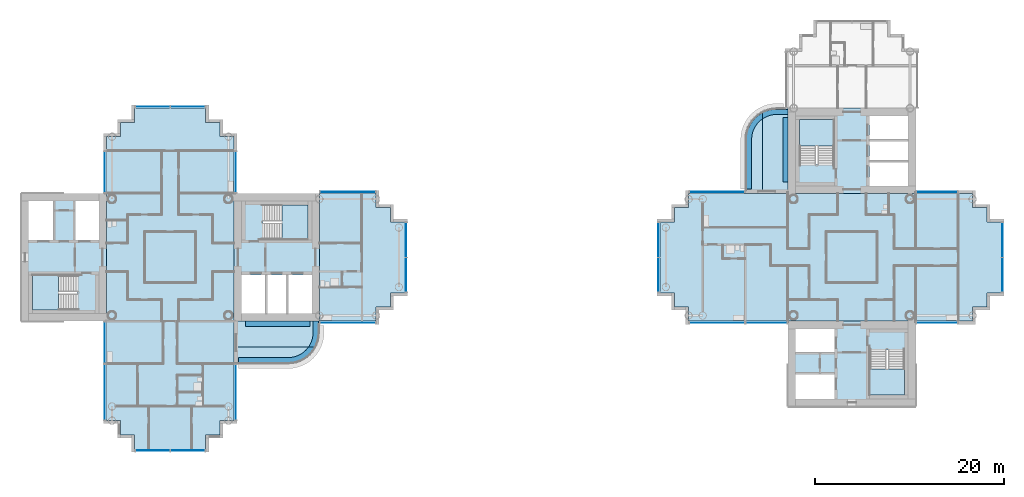
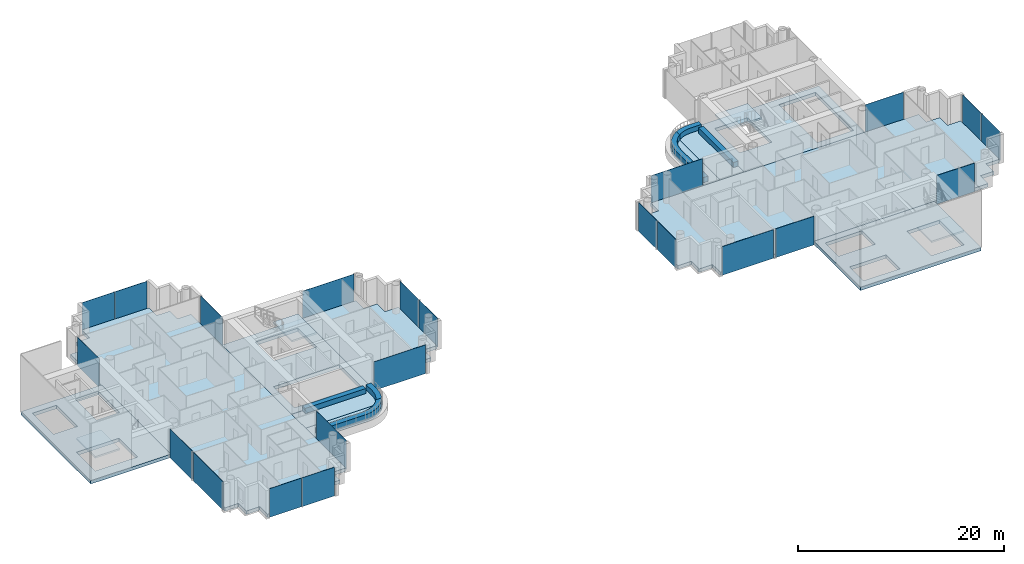
# One storey, part 5 of 19: 22 plates, 21 slabs, 21 elements without a shape of their own.
"""IFC4 building model written with IfcOpenShell, lengths in metres."""

from ifc_helpers import new_model, si_unit, direction, frame, origin, origin_2d, place, context, subcontext, project, spatial, polyline, rectangle, outline, extrude, material, layer, layer_set, type_object, element, aggregate, save


model = new_model("IFC4")

# Units and contexts
model_context = context("Model", 3, precision=1e-05, world=origin(), true_north=direction((0.0, 1.0)))
body_context = subcontext(model_context, "Body", "Model", "MODEL_VIEW")
ifc_project = project(units=[si_unit("LENGTHUNIT", "METRE"), si_unit("AREAUNIT", "SQUARE_METRE"), si_unit("VOLUMEUNIT", "CUBIC_METRE"), si_unit("PLANEANGLEUNIT", "RADIAN"), si_unit("MASSUNIT", "GRAM", prefix="KILO")], contexts=[model_context])

# Site, building, storey
site_placement = place(None, origin())
site = spatial("IfcSite", under=ifc_project, at=site_placement, CompositionType="ELEMENT")
building_placement = place(site_placement, origin())
building = spatial("IfcBuilding", under=site, at=building_placement, Name="Ipe Terrace Towers", CompositionType="ELEMENT")
storey_placement = place(building_placement, frame((0.0, 0.0, 140.5)))
storey = spatial("IfcBuildingStorey", under=building, at=storey_placement, Name="L38", CompositionType="ELEMENT", Elevation=140.5)

# Slabs
ifc_material_1 = material(Name="Concrete C30/37", Category="concrete")
ifc_layer_1 = layer(ifc_material_1, 0.199951171875)
ifc_layer_set_1 = layer_set([ifc_layer_1], Name="BALCONY SLAB 200")
slab_type_1 = type_object("IfcSlabType", Name="BALCONY SLAB 200", PredefinedType="FLOOR", material=ifc_layer_set_1)
slab_1_placement = place(storey_placement, frame((0.0, 0.0, -0.219970703125)))
element("IfcSlab", 1, at=slab_1_placement, inside=storey, type_object=slab_type_1, Name="balcony slab", PredefinedType="FLOOR", context=body_context, shape_type="SweptSolid", body=[
    extrude(outline(polyline([(-20.5009765625, -9.212890625), (-20.362060546875, -8.803955078125), (-20.278076171875, -8.381103515625), (-20.25, -7.949951171875), (-20.25, -6.75), (-29.25, -6.75), (-29.25, -9.449951171875), (-20.617919921875, -9.449951171875), (-20.5009765625, -9.212890625)])), origin(), (0.0, 0.0, 1.0), 0.199951171875),
])
slab_2_placement = place(storey_placement, frame((0.0, 0.0, -0.219970703125)))
element("IfcSlab", 2, at=slab_2_placement, inside=storey, type_object=slab_type_1, Name="balcony slab", PredefinedType="FLOOR", context=body_context, shape_type="SweptSolid", body=[
    extrude(outline(polyline([(-29.25, -11.25), (-23.550048828125, -11.25), (-23.118896484375, -11.221923828125), (-22.696044921875, -11.137939453125), (-22.287109375, -10.9990234375), (-21.89990234375, -10.80810546875), (-21.541015625, -10.568115234375), (-21.217041015625, -10.282958984375), (-20.931884765625, -9.958984375), (-20.69189453125, -9.60009765625), (-20.617919921875, -9.449951171875), (-29.25, -9.449951171875), (-29.25, -11.25)])), origin(), (0.0, 0.0, 1.0), 0.199951171875),
])
slab_3_placement = place(storey_placement, frame((0.0, 0.0, -0.219970703125)))
element("IfcSlab", 3, at=slab_3_placement, inside=storey, type_object=slab_type_1, Name="balcony slab", PredefinedType="FLOOR", context=body_context, shape_type="SweptSolid", body=[
    extrude(outline(polyline([(26.787109375, 15.4990234375), (26.550048828125, 15.382080078125), (26.550048828125, 6.75), (29.25, 6.75), (29.25, 15.75), (28.050048828125, 15.75), (27.618896484375, 15.721923828125), (27.196044921875, 15.637939453125), (26.787109375, 15.4990234375)])), origin(), (0.0, 0.0, 1.0), 0.199951171875),
])
slab_4_placement = place(storey_placement, frame((0.0, 0.0, -0.219970703125)))
element("IfcSlab", 4, at=slab_4_placement, inside=storey, type_object=slab_type_1, Name="balcony slab", PredefinedType="FLOOR", context=body_context, shape_type="SweptSolid", body=[
    extrude(outline(polyline([(24.75, 6.75), (26.550048828125, 6.75), (26.550048828125, 15.382080078125), (26.39990234375, 15.30810546875), (26.041015625, 15.068115234375), (25.717041015625, 14.782958984375), (25.431884765625, 14.458984375), (25.19189453125, 14.10009765625), (25.0009765625, 13.712890625), (24.862060546875, 13.303955078125), (24.778076171875, 12.881103515625), (24.75, 12.449951171875), (24.75, 6.75)])), origin(), (0.0, 0.0, 1.0), 0.199951171875),
])
ifc_material_2 = material(Name="Concrete C30/37", Category="concrete")
ifc_layer_2 = layer(ifc_material_2, 0.39990234375)
ifc_layer_set_2 = layer_set([ifc_layer_2], Name="CORE FLOOR SLAB 400 C30-37")
slab_type_2 = type_object("IfcSlabType", Name="CORE FLOOR SLAB 400 C30-37", PredefinedType="FLOOR", material=ifc_layer_set_2)
slab_5_placement = place(storey_placement, frame((0.0, 0.0, -0.39990234375)))
element("IfcSlab", 5, at=slab_5_placement, inside=storey, type_object=slab_type_2, Name="Core floor T1-C1", PredefinedType="FLOOR", context=body_context, shape_type="SweptSolid", body=[
    extrude(outline(polyline([(-29.25, -6.75), (-29.25, 6.75), (-20.25, 6.75), (-20.25, -6.75), (-29.25, -6.75)]), holes=[polyline([(-28.449951171875, -5.949951171875), (-21.050048828125, -5.949951171875), (-21.050048828125, -1.85009765625), (-28.449951171875, -1.85009765625), (-28.449951171875, -5.949951171875)]), polyline([(-26.199951171875, 5.550048828125), (-26.199951171875, 1.89990234375), (-21.449951171875, 1.89990234375), (-21.449951171875, 5.550048828125), (-26.199951171875, 5.550048828125)])]), origin(), (0.0, 0.0, 1.0), 0.39990234375),
])
slab_6_placement = place(storey_placement, frame((0.0, 0.0, -0.39990234375)))
element("IfcSlab", 6, at=slab_6_placement, inside=storey, type_object=slab_type_2, Name="Core floor T1-C2", PredefinedType="FLOOR", context=body_context, shape_type="SweptSolid", body=[
    extrude(outline(polyline([(-51.75, -6.75), (-51.75, 6.75), (-42.75, 6.75), (-42.75, -6.75), (-51.75, -6.75)]), holes=[polyline([(-45.800048828125, -1.89990234375), (-50.550048828125, -1.89990234375), (-50.550048828125, -5.550048828125), (-45.800048828125, -5.550048828125), (-45.800048828125, -1.89990234375)]), polyline([(-48.25, 1.85009765625), (-48.25, 5.949951171875), (-50.949951171875, 5.949951171875), (-50.949951171875, 1.85009765625), (-48.25, 1.85009765625)]), polyline([(-43.550048828125, 1.85009765625), (-43.550048828125, 5.949951171875), (-46.14990234375, 5.949951171875), (-46.14990234375, 1.85009765625), (-43.550048828125, 1.85009765625)])]), origin(), (0.0, 0.0, 1.0), 0.39990234375),
])
slab_7_placement = place(storey_placement, frame((0.0, 0.0, -0.39990234375)))
element("IfcSlab", 7, at=slab_7_placement, inside=storey, type_object=slab_type_2, Name="Core floor T2-C1", PredefinedType="FLOOR", context=body_context, shape_type="SweptSolid", body=[
    extrude(outline(polyline([(29.25, 6.75), (29.25, 15.75), (42.75, 15.75), (42.75, 6.75), (29.25, 6.75)]), holes=[polyline([(41.949951171875, 7.550048828125), (41.949951171875, 14.949951171875), (37.85009765625, 14.949951171875), (37.85009765625, 7.550048828125), (41.949951171875, 7.550048828125)]), polyline([(30.449951171875, 9.800048828125), (34.10009765625, 9.800048828125), (34.10009765625, 14.550048828125), (30.449951171875, 14.550048828125), (30.449951171875, 9.800048828125)])]), origin(), (0.0, 0.0, 1.0), 0.39990234375),
])
slab_8_placement = place(storey_placement, frame((0.0, 0.0, -0.39990234375)))
element("IfcSlab", 8, at=slab_8_placement, inside=storey, type_object=slab_type_2, Name="Core floor T2-C2", PredefinedType="FLOOR", context=body_context, shape_type="SweptSolid", body=[
    extrude(outline(polyline([(29.25, -15.75), (29.25, -6.75), (42.75, -6.75), (42.75, -15.75), (29.25, -15.75)]), holes=[polyline([(30.050048828125, -12.25), (30.050048828125, -14.949951171875), (34.14990234375, -14.949951171875), (34.14990234375, -12.25), (30.050048828125, -12.25)]), polyline([(41.550048828125, -9.800048828125), (37.89990234375, -9.800048828125), (37.89990234375, -14.550048828125), (41.550048828125, -14.550048828125), (41.550048828125, -9.800048828125)]), polyline([(34.14990234375, -7.550048828125), (30.050048828125, -7.550048828125), (30.050048828125, -10.14990234375), (34.14990234375, -10.14990234375), (34.14990234375, -7.550048828125)])]), origin(), (0.0, 0.0, 1.0), 0.39990234375),
])

# Stair, slab
ifc_material_3 = material(Name="Concrete C30/37", Category="concrete")
stair_type = type_object("IfcStairType", Name="Protected exit stair", PredefinedType="HALF_TURN_STAIR", material=ifc_material_3)
stair_1_placement = place(storey_placement, origin())
stair_1 = element("IfcStair", 9, at=stair_1_placement, inside=storey, type_object=stair_type, Name="L38 Exit stair T1-C1", PredefinedType="HALF_TURN_STAIR")
ifc_material_4 = material(Name="Concrete C30/37", Category="concrete")
ifc_layer_3 = layer(ifc_material_4, 0.199951171875)
ifc_layer_set_3 = layer_set([ifc_layer_3], Name="Exit stair landing 200")
slab_type_3 = type_object("IfcSlabType", Name="Exit stair landing 200", PredefinedType="LANDING", material=ifc_layer_set_3)
slab_9_placement = place(storey_placement, frame((0.0, 0.0, 1.5)))
slab_9 = element("IfcSlab", 10, at=slab_9_placement, type_object=slab_type_3, Name="T1-ST1 landing 1", PredefinedType="LANDING", context=body_context, shape_type="SweptSolid", body=[
    extrude(outline(polyline([(-24.219970703125, 1.89990234375), (-21.449951171875, 1.89990234375), (-21.449951171875, 5.550048828125), (-24.219970703125, 5.550048828125), (-24.219970703125, 1.89990234375)])), origin(), (0.0, 0.0, 1.0), 0.199951171875),
])
aggregate(stair_1, [slab_9])

stair_2_placement = place(storey_placement, origin())
stair_2 = element("IfcStair", 11, at=stair_2_placement, inside=storey, type_object=stair_type, Name="L38 Exit stair T1-C2", PredefinedType="HALF_TURN_STAIR")
slab_10_placement = place(storey_placement, frame((0.0, 0.0, 1.5)))
slab_10 = element("IfcSlab", 12, at=slab_10_placement, type_object=slab_type_3, Name="T1-ST2 landing 1", PredefinedType="LANDING", context=body_context, shape_type="SweptSolid", body=[
    extrude(outline(polyline([(-47.780029296875, -1.89990234375), (-50.550048828125, -1.89990234375), (-50.550048828125, -5.550048828125), (-47.780029296875, -5.550048828125), (-47.780029296875, -1.89990234375)])), origin(), (0.0, 0.0, 1.0), 0.199951171875),
])
aggregate(stair_2, [slab_10])

stair_3_placement = place(storey_placement, origin())
stair_3 = element("IfcStair", 13, at=stair_3_placement, inside=storey, type_object=stair_type, Name="L38 Exit stair T2-C1", PredefinedType="HALF_TURN_STAIR")
slab_11_placement = place(storey_placement, frame((0.0, 0.0, 1.5)))
slab_11 = element("IfcSlab", 14, at=slab_11_placement, type_object=slab_type_3, Name="T2-ST1 landing 1", PredefinedType="LANDING", context=body_context, shape_type="SweptSolid", body=[
    extrude(outline(polyline([(34.10009765625, 11.780029296875), (34.10009765625, 14.550048828125), (30.449951171875, 14.550048828125), (30.449951171875, 11.780029296875), (34.10009765625, 11.780029296875)])), origin(), (0.0, 0.0, 1.0), 0.199951171875),
])
aggregate(stair_3, [slab_11])

stair_4_placement = place(storey_placement, origin())
stair_4 = element("IfcStair", 15, at=stair_4_placement, inside=storey, type_object=stair_type, Name="L38 Exit stair T2-C2", PredefinedType="HALF_TURN_STAIR")
slab_12_placement = place(storey_placement, frame((0.0, 0.0, 1.5)))
slab_12 = element("IfcSlab", 16, at=slab_12_placement, type_object=slab_type_3, Name="T2-ST2 landing 1", PredefinedType="LANDING", context=body_context, shape_type="SweptSolid", body=[
    extrude(outline(polyline([(37.89990234375, -11.780029296875), (37.89990234375, -14.550048828125), (41.550048828125, -14.550048828125), (41.550048828125, -11.780029296875), (37.89990234375, -11.780029296875)])), origin(), (0.0, 0.0, 1.0), 0.199951171875),
])
aggregate(stair_4, [slab_12])

# Slabs
ifc_material_5 = material(Name="Concrete C40/50", Category="concrete")
ifc_layer_4 = layer(ifc_material_5, 0.39990234375)
ifc_layer_set_4 = layer_set([ifc_layer_4], Name="FLAT PLATE SLAB 400 C40-50")
slab_type_4 = type_object("IfcSlabType", Name="FLAT PLATE SLAB 400 C40-50", PredefinedType="FLOOR", material=ifc_layer_set_4)
slab_13_placement = place(storey_placement, frame((0.0, 0.0, -0.39990234375)))
element("IfcSlab", 17, at=slab_13_placement, inside=storey, type_object=slab_type_4, Name="Slab T1-FS-Z31", PredefinedType="FLOOR", context=body_context, shape_type="SweptSolid", body=[
    extrude(outline(polyline([(-30.75, -17.25), (-30.75, -18.75), (-32.25, -18.75), (-32.25, -20.25), (-39.75, -20.25), (-39.75, -18.75), (-41.25, -18.75), (-41.25, -17.25), (-42.75, -17.25), (-42.75, -6.75), (-42.75, 6.75), (-42.75, 12.75), (-41.25, 12.75), (-41.25, 14.25), (-39.75, 14.25), (-39.75, 15.75), (-32.25, 15.75), (-32.25, 14.25), (-30.75, 14.25), (-30.75, 12.75), (-29.25, 12.75), (-29.25, 6.75), (-29.25, -6.75), (-29.25, -17.25), (-30.75, -17.25)])), origin(), (0.0, 0.0, 1.0), 0.39990234375),
])
slab_14_placement = place(storey_placement, frame((0.0, 0.0, -0.39990234375)))
element("IfcSlab", 18, at=slab_14_placement, inside=storey, type_object=slab_type_4, Name="Slab T1-FS-Z32", PredefinedType="FLOOR", context=body_context, shape_type="SweptSolid", body=[
    extrude(outline(polyline([(-14.25, 5.25), (-12.75, 5.25), (-12.75, 3.75), (-11.25, 3.75), (-11.25, -3.75), (-12.75, -3.75), (-12.75, -5.25), (-14.25, -5.25), (-14.25, -6.75), (-20.25, -6.75), (-20.25, 6.75), (-14.25, 6.75), (-14.25, 5.25)])), origin(), (0.0, 0.0, 1.0), 0.39990234375),
])
slab_15_placement = place(storey_placement, frame((0.0, 0.0, -0.39990234375)))
element("IfcSlab", 19, at=slab_15_placement, inside=storey, type_object=slab_type_4, Name="Slab T2-FS-Z31", PredefinedType="FLOOR", context=body_context, shape_type="SweptSolid", body=[
    extrude(outline(polyline([(48.75, 5.25), (50.25, 5.25), (50.25, 3.75), (51.75, 3.75), (51.75, -3.75), (50.25, -3.75), (50.25, -5.25), (48.75, -5.25), (48.75, -6.75), (42.75, -6.75), (29.25, -6.75), (18.75, -6.75), (18.75, -5.25), (17.25, -5.25), (17.25, -3.75), (15.75, -3.75), (15.75, 3.75), (17.25, 3.75), (17.25, 5.25), (18.75, 5.25), (18.75, 6.75), (29.25, 6.75), (42.75, 6.75), (48.75, 6.75), (48.75, 5.25)])), origin(), (0.0, 0.0, 1.0), 0.39990234375),
])
ifc_material_6 = material(Name="Concrete C30/37", Category="concrete")
ifc_layer_5 = layer(ifc_material_6, 0.60009765625)
ifc_layer_set_5 = layer_set([ifc_layer_5], Name="PLANTER TROUGH 550 x 600")
slab_type_5 = type_object("IfcSlabType", Name="PLANTER TROUGH 550 x 600", PredefinedType="USERDEFINED", material=ifc_layer_set_5)
slab_16_placement = place(storey_placement, frame((0.0, 0.0, -0.02001953125)))
element("IfcSlab", 20, at=slab_16_placement, inside=storey, type_object=slab_type_5, Name="planter", ObjectType="PLANTER", PredefinedType="USERDEFINED", context=body_context, shape_type="SweptSolid", body=[
    extrude(outline(polyline([(-21.0009765625, -8.633056640625), (-21.112060546875, -8.9599609375), (-21.264892578125, -9.26904296875), (-21.385986328125, -9.449951171875), (-20.740966796875, -9.449951171875), (-20.611083984375, -9.18701171875), (-20.596923828125, -9.154052734375), (-20.47509765625, -8.79296875), (-20.465087890625, -8.758056640625), (-20.39111328125, -8.384033203125), (-20.385986328125, -8.347900390625), (-20.361083984375, -7.955078125), (-20.360107421875, -7.93701171875), (-20.360107421875, -6.75), (-20.909912109375, -6.75), (-20.909912109375, -7.927978515625), (-20.93408203125, -8.2939453125), (-21.0009765625, -8.633056640625)])), origin(), (0.0, 0.0, 1.0), 0.60009765625),
])
slab_17_placement = place(storey_placement, frame((0.0, 0.0, -0.02001953125)))
element("IfcSlab", 21, at=slab_17_placement, inside=storey, type_object=slab_type_5, Name="planter", ObjectType="PLANTER", PredefinedType="USERDEFINED", context=body_context, shape_type="SweptSolid", body=[
    extrude(outline(polyline([(-21.45703125, -9.555908203125), (-21.68408203125, -9.81591796875), (-21.944091796875, -10.04296875), (-22.23095703125, -10.235107421875), (-22.5400390625, -10.387939453125), (-22.866943359375, -10.4990234375), (-23.2060546875, -10.56591796875), (-23.572021484375, -10.590087890625), (-28.800048828125, -10.590087890625), (-28.800048828125, -11.139892578125), (-23.56298828125, -11.139892578125), (-23.544921875, -11.138916015625), (-23.152099609375, -11.114013671875), (-23.115966796875, -11.10888671875), (-22.741943359375, -11.034912109375), (-22.70703125, -11.02490234375), (-22.345947265625, -10.903076171875), (-22.31298828125, -10.888916015625), (-21.970947265625, -10.719970703125), (-21.93994140625, -10.701904296875), (-21.623046875, -10.490966796875), (-21.594970703125, -10.468994140625), (-21.30810546875, -10.217041015625), (-21.282958984375, -10.19189453125), (-21.031005859375, -9.905029296875), (-21.009033203125, -9.876953125), (-20.798095703125, -9.56005859375), (-20.780029296875, -9.529052734375), (-20.740966796875, -9.449951171875), (-21.385986328125, -9.449951171875), (-21.45703125, -9.555908203125)])), origin(), (0.0, 0.0, 1.0), 0.60009765625),
])
slab_18_placement = place(storey_placement, frame((0.0, 0.0, -0.02001953125)))
element("IfcSlab", 22, at=slab_18_placement, inside=storey, type_object=slab_type_5, Name="planter", ObjectType="PLANTER", PredefinedType="USERDEFINED", context=body_context, shape_type="SweptSolid", body=[
    extrude(outline(polyline([(-28.050048828125, -6.75), (-28.050048828125, -7.300048828125), (-21.25, -7.300048828125), (-21.25, -6.75), (-28.050048828125, -6.75)])), origin(), (0.0, 0.0, 1.0), 0.60009765625),
])
slab_19_placement = place(storey_placement, frame((0.0, 0.0, -0.02001953125)))
element("IfcSlab", 23, at=slab_19_placement, inside=storey, type_object=slab_type_5, Name="planter", ObjectType="PLANTER", PredefinedType="USERDEFINED", context=body_context, shape_type="SweptSolid", body=[
    extrude(outline(polyline([(27.366943359375, 14.9990234375), (27.7060546875, 15.06591796875), (28.072021484375, 15.090087890625), (29.25, 15.090087890625), (29.25, 15.639892578125), (28.06298828125, 15.639892578125), (28.044921875, 15.638916015625), (27.652099609375, 15.614013671875), (27.615966796875, 15.60888671875), (27.241943359375, 15.534912109375), (27.20703125, 15.52490234375), (26.845947265625, 15.403076171875), (26.81298828125, 15.388916015625), (26.550048828125, 15.259033203125), (26.550048828125, 14.614013671875), (26.73095703125, 14.735107421875), (27.0400390625, 14.887939453125), (27.366943359375, 14.9990234375)])), origin(), (0.0, 0.0, 1.0), 0.60009765625),
])
slab_20_placement = place(storey_placement, frame((0.0, 0.0, -0.02001953125)))
element("IfcSlab", 24, at=slab_20_placement, inside=storey, type_object=slab_type_5, Name="planter", ObjectType="PLANTER", PredefinedType="USERDEFINED", context=body_context, shape_type="SweptSolid", body=[
    extrude(outline(polyline([(26.444091796875, 14.54296875), (26.550048828125, 14.614013671875), (26.550048828125, 15.259033203125), (26.470947265625, 15.219970703125), (26.43994140625, 15.201904296875), (26.123046875, 14.990966796875), (26.094970703125, 14.968994140625), (25.80810546875, 14.717041015625), (25.782958984375, 14.69189453125), (25.531005859375, 14.405029296875), (25.509033203125, 14.376953125), (25.298095703125, 14.06005859375), (25.280029296875, 14.029052734375), (25.111083984375, 13.68701171875), (25.096923828125, 13.654052734375), (24.97509765625, 13.29296875), (24.965087890625, 13.258056640625), (24.89111328125, 12.884033203125), (24.885986328125, 12.847900390625), (24.861083984375, 12.455078125), (24.860107421875, 12.43701171875), (24.860107421875, 7.199951171875), (25.409912109375, 7.199951171875), (25.409912109375, 12.427978515625), (25.43408203125, 12.7939453125), (25.5009765625, 13.133056640625), (25.612060546875, 13.4599609375), (25.764892578125, 13.76904296875), (25.95703125, 14.055908203125), (26.18408203125, 14.31591796875), (26.444091796875, 14.54296875)])), origin(), (0.0, 0.0, 1.0), 0.60009765625),
])
slab_21_placement = place(storey_placement, frame((0.0, 0.0, -0.02001953125)))
element("IfcSlab", 25, at=slab_21_placement, inside=storey, type_object=slab_type_5, Name="planter", ObjectType="PLANTER", PredefinedType="USERDEFINED", context=body_context, shape_type="SweptSolid", body=[
    extrude(outline(polyline([(29.25, 7.949951171875), (29.25, 14.75), (28.699951171875, 14.75), (28.699951171875, 7.949951171875), (29.25, 7.949951171875)])), origin(), (0.0, 0.0, 1.0), 0.60009765625),
])

# Curtain wall, plate
ifc_material_7 = material(Name="Aluminium alloy 6063-T6", Category="aluminium")
ifc_layer_6 = layer(ifc_material_7, 0.320068359375)
ifc_layer_set_6 = layer_set([ifc_layer_6], Name="TOWER UNITISED CURTAIN WALL")
curtain_wall_type = type_object("IfcCurtainWallType", Name="TOWER UNITISED CURTAIN WALL", PredefinedType="NOTDEFINED", material=ifc_layer_set_6)
curtain_wall_1_placement = place(storey_placement, origin())
curtain_wall_1 = element("IfcCurtainWall", 26, at=curtain_wall_1_placement, inside=storey, type_object=curtain_wall_type, Name="T1-CW-L38-02a curtain wall", PredefinedType="NOTDEFINED")
ifc_material_8 = material(Name="Glass, clear laminated", Category="glass")
ifc_layer_7 = layer(ifc_material_8, 0.031982421875)
ifc_layer_set_7 = layer_set([ifc_layer_7], Name="TOWER UNITISED GLASS PANEL 32")
plate_type = type_object("IfcPlateType", Name="TOWER UNITISED GLASS PANEL 32", PredefinedType="CURTAIN_PANEL", material=ifc_layer_set_7)
plate_1_placement = place(storey_placement, frame((-42.909912109375, -9.0, -0.300048828125), z_axis=(0.0, 0.0, 1.0), x_axis=(0.0, -1.0, 0.0)))
plate_1 = element("IfcPlate", 27, at=plate_1_placement, type_object=plate_type, Name="T1-CW-L38-02a panel 1", PredefinedType="CURTAIN_PANEL", context=body_context, shape_type="SweptSolid", body=[
    extrude(rectangle(XDim=4.260009765625, YDim=0.031982421875, at=origin_2d()), origin(), (0.0, 0.0, 1.0), 3.39990234375),
])
aggregate(curtain_wall_1, [plate_1])

curtain_wall_2_placement = place(storey_placement, origin())
curtain_wall_2 = element("IfcCurtainWall", 28, at=curtain_wall_2_placement, inside=storey, type_object=curtain_wall_type, Name="T1-CW-L38-03a curtain wall", PredefinedType="NOTDEFINED")
plate_2_placement = place(storey_placement, frame((-42.909912109375, -14.25, -0.300048828125), z_axis=(0.0, 0.0, 1.0), x_axis=(0.0, -1.0, 0.0)))
plate_2 = element("IfcPlate", 29, at=plate_2_placement, type_object=plate_type, Name="T1-CW-L38-03a panel 1", PredefinedType="CURTAIN_PANEL", context=body_context, shape_type="SweptSolid", body=[
    extrude(rectangle(XDim=5.760009765625, YDim=0.031982421875, at=origin_2d()), origin(), (0.0, 0.0, 1.0), 3.39990234375),
])
aggregate(curtain_wall_2, [plate_2])

# Curtain wall, plates
curtain_wall_3_placement = place(storey_placement, origin())
curtain_wall_3 = element("IfcCurtainWall", 30, at=curtain_wall_3_placement, inside=storey, type_object=curtain_wall_type, Name="T1-CW-L38-08a curtain wall", PredefinedType="NOTDEFINED")
plate_3_placement = place(storey_placement, frame((-37.831298828125, -20.409912109375, -0.300048828125), z_axis=(0.0, 0.0, 1.0), x_axis=(1.0, 0.0, 0.0)))
plate_3 = element("IfcPlate", 31, at=plate_3_placement, type_object=plate_type, Name="T1-CW-L38-08a panel 1", PredefinedType="CURTAIN_PANEL", context=body_context, shape_type="SweptSolid", body=[
    extrude(rectangle(XDim=3.597412109375, YDim=0.031982421875, at=origin_2d()), origin(), (0.0, 0.0, 1.0), 3.39990234375),
])
plate_4_placement = place(storey_placement, frame((-34.168701171875, -20.409912109375, -0.300048828125), z_axis=(0.0, 0.0, 1.0), x_axis=(1.0, 0.0, 0.0)))
plate_4 = element("IfcPlate", 32, at=plate_4_placement, type_object=plate_type, Name="T1-CW-L38-08a panel 2", PredefinedType="CURTAIN_PANEL", context=body_context, shape_type="SweptSolid", body=[
    extrude(rectangle(XDim=3.597412109375, YDim=0.031982421875, at=origin_2d()), origin(), (0.0, 0.0, 1.0), 3.39990234375),
])
aggregate(curtain_wall_3, [plate_3, plate_4])

# Curtain wall, plate
curtain_wall_4_placement = place(storey_placement, origin())
curtain_wall_4 = element("IfcCurtainWall", 33, at=curtain_wall_4_placement, inside=storey, type_object=curtain_wall_type, Name="T1-CW-L38-13a curtain wall", PredefinedType="NOTDEFINED")
plate_5_placement = place(storey_placement, frame((-29.090087890625, -14.25, -0.300048828125), z_axis=(0.0, 0.0, 1.0), x_axis=(0.0, 1.0, 0.0)))
plate_5 = element("IfcPlate", 34, at=plate_5_placement, type_object=plate_type, Name="T1-CW-L38-13a panel 1", PredefinedType="CURTAIN_PANEL", context=body_context, shape_type="SweptSolid", body=[
    extrude(rectangle(XDim=5.760009765625, YDim=0.031982421875, at=origin_2d()), origin(), (0.0, 0.0, 1.0), 3.39990234375),
])
aggregate(curtain_wall_4, [plate_5])

curtain_wall_5_placement = place(storey_placement, origin())
curtain_wall_5 = element("IfcCurtainWall", 35, at=curtain_wall_5_placement, inside=storey, type_object=curtain_wall_type, Name="T1-CW-L38-16b curtain wall", PredefinedType="NOTDEFINED")
plate_6_placement = place(storey_placement, frame((-17.24951171875, -6.909912109375, -0.300048828125), z_axis=(0.0, 0.0, 1.0), x_axis=(1.0, 0.0, 0.0)))
plate_6 = element("IfcPlate", 36, at=plate_6_placement, type_object=plate_type, Name="T1-CW-L38-16b panel 1", PredefinedType="CURTAIN_PANEL", context=body_context, shape_type="SweptSolid", body=[
    extrude(rectangle(XDim=5.759033203125, YDim=0.031982421875, at=origin_2d()), origin(), (0.0, 0.0, 1.0), 3.39990234375),
])
aggregate(curtain_wall_5, [plate_6])

# Curtain wall, plates
curtain_wall_6_placement = place(storey_placement, origin())
curtain_wall_6 = element("IfcCurtainWall", 37, at=curtain_wall_6_placement, inside=storey, type_object=curtain_wall_type, Name="T1-CW-L38-21a curtain wall", PredefinedType="NOTDEFINED")
plate_7_placement = place(storey_placement, frame((-11.090087890625, -1.831298828125, -0.300048828125), z_axis=(0.0, 0.0, 1.0), x_axis=(0.0, 1.0, 0.0)))
plate_7 = element("IfcPlate", 38, at=plate_7_placement, type_object=plate_type, Name="T1-CW-L38-21a panel 1", PredefinedType="CURTAIN_PANEL", context=body_context, shape_type="SweptSolid", body=[
    extrude(rectangle(XDim=3.597412109375, YDim=0.031982421875, at=origin_2d()), origin(), (0.0, 0.0, 1.0), 3.39990234375),
])
plate_8_placement = place(storey_placement, frame((-11.090087890625, 1.831298828125, -0.300048828125), z_axis=(0.0, 0.0, 1.0), x_axis=(0.0, 1.0, 0.0)))
plate_8 = element("IfcPlate", 39, at=plate_8_placement, type_object=plate_type, Name="T1-CW-L38-21a panel 2", PredefinedType="CURTAIN_PANEL", context=body_context, shape_type="SweptSolid", body=[
    extrude(rectangle(XDim=3.597412109375, YDim=0.031982421875, at=origin_2d()), origin(), (0.0, 0.0, 1.0), 3.39990234375),
])
aggregate(curtain_wall_6, [plate_7, plate_8])

# Curtain wall, plate
curtain_wall_7_placement = place(storey_placement, origin())
curtain_wall_7 = element("IfcCurtainWall", 40, at=curtain_wall_7_placement, inside=storey, type_object=curtain_wall_type, Name="T1-CW-L38-26a curtain wall", PredefinedType="NOTDEFINED")
plate_9_placement = place(storey_placement, frame((-17.24951171875, 6.909912109375, -0.300048828125), z_axis=(0.0, 0.0, 1.0), x_axis=(-1.0, 0.0, 0.0)))
plate_9 = element("IfcPlate", 41, at=plate_9_placement, type_object=plate_type, Name="T1-CW-L38-26a panel 1", PredefinedType="CURTAIN_PANEL", context=body_context, shape_type="SweptSolid", body=[
    extrude(rectangle(XDim=5.759033203125, YDim=0.031982421875, at=origin_2d()), origin(), (0.0, 0.0, 1.0), 3.39990234375),
])
aggregate(curtain_wall_7, [plate_9])

curtain_wall_8_placement = place(storey_placement, origin())
curtain_wall_8 = element("IfcCurtainWall", 42, at=curtain_wall_8_placement, inside=storey, type_object=curtain_wall_type, Name="T1-CW-L38-28a curtain wall", PredefinedType="NOTDEFINED")
plate_10_placement = place(storey_placement, frame((-29.090087890625, 9.0, -0.300048828125), z_axis=(0.0, 0.0, 1.0), x_axis=(0.0, 1.0, 0.0)))
plate_10 = element("IfcPlate", 43, at=plate_10_placement, type_object=plate_type, Name="T1-CW-L38-28a panel 1", PredefinedType="CURTAIN_PANEL", context=body_context, shape_type="SweptSolid", body=[
    extrude(rectangle(XDim=4.260009765625, YDim=0.031982421875, at=origin_2d()), origin(), (0.0, 0.0, 1.0), 3.39990234375),
])
aggregate(curtain_wall_8, [plate_10])

# Curtain wall, plates
curtain_wall_9_placement = place(storey_placement, origin())
curtain_wall_9 = element("IfcCurtainWall", 44, at=curtain_wall_9_placement, inside=storey, type_object=curtain_wall_type, Name="T1-CW-L38-34a curtain wall", PredefinedType="NOTDEFINED")
plate_11_placement = place(storey_placement, frame((-34.168701171875, 15.909912109375, -0.300048828125), z_axis=(0.0, 0.0, 1.0), x_axis=(-1.0, 0.0, 0.0)))
plate_11 = element("IfcPlate", 45, at=plate_11_placement, type_object=plate_type, Name="T1-CW-L38-34a panel 1", PredefinedType="CURTAIN_PANEL", context=body_context, shape_type="SweptSolid", body=[
    extrude(rectangle(XDim=3.597412109375, YDim=0.031982421875, at=origin_2d()), origin(), (0.0, 0.0, 1.0), 3.39990234375),
])
plate_12_placement = place(storey_placement, frame((-37.831298828125, 15.909912109375, -0.300048828125), z_axis=(0.0, 0.0, 1.0), x_axis=(-1.0, 0.0, 0.0)))
plate_12 = element("IfcPlate", 46, at=plate_12_placement, type_object=plate_type, Name="T1-CW-L38-34a panel 2", PredefinedType="CURTAIN_PANEL", context=body_context, shape_type="SweptSolid", body=[
    extrude(rectangle(XDim=3.597412109375, YDim=0.031982421875, at=origin_2d()), origin(), (0.0, 0.0, 1.0), 3.39990234375),
])
aggregate(curtain_wall_9, [plate_11, plate_12])

# Curtain wall, plate
curtain_wall_10_placement = place(storey_placement, origin())
curtain_wall_10 = element("IfcCurtainWall", 47, at=curtain_wall_10_placement, inside=storey, type_object=curtain_wall_type, Name="T1-CW-L38-40a curtain wall", PredefinedType="NOTDEFINED")
plate_13_placement = place(storey_placement, frame((-42.909912109375, 9.0, -0.300048828125), z_axis=(0.0, 0.0, 1.0), x_axis=(0.0, -1.0, 0.0)))
plate_13 = element("IfcPlate", 48, at=plate_13_placement, type_object=plate_type, Name="T1-CW-L38-40a panel 1", PredefinedType="CURTAIN_PANEL", context=body_context, shape_type="SweptSolid", body=[
    extrude(rectangle(XDim=4.260009765625, YDim=0.031982421875, at=origin_2d()), origin(), (0.0, 0.0, 1.0), 3.39990234375),
])
aggregate(curtain_wall_10, [plate_13])

curtain_wall_11_placement = place(storey_placement, origin())
curtain_wall_11 = element("IfcCurtainWall", 49, at=curtain_wall_11_placement, inside=storey, type_object=curtain_wall_type, Name="T2-CW-L38-02a curtain wall", PredefinedType="NOTDEFINED")
plate_14_placement = place(storey_placement, frame((45.0, -6.909912109375, -0.300048828125), z_axis=(0.0, 0.0, 1.0), x_axis=(1.0, 0.0, 0.0)))
plate_14 = element("IfcPlate", 50, at=plate_14_placement, type_object=plate_type, Name="T2-CW-L38-02a panel 1", PredefinedType="CURTAIN_PANEL", context=body_context, shape_type="SweptSolid", body=[
    extrude(rectangle(XDim=4.260009765625, YDim=0.031982421875, at=origin_2d()), origin(), (0.0, 0.0, 1.0), 3.39990234375),
])
aggregate(curtain_wall_11, [plate_14])

# Curtain wall, plates
curtain_wall_12_placement = place(storey_placement, origin())
curtain_wall_12 = element("IfcCurtainWall", 51, at=curtain_wall_12_placement, inside=storey, type_object=curtain_wall_type, Name="T2-CW-L38-08a curtain wall", PredefinedType="NOTDEFINED")
plate_15_placement = place(storey_placement, frame((51.909912109375, -1.831298828125, -0.300048828125), z_axis=(0.0, 0.0, 1.0), x_axis=(0.0, 1.0, 0.0)))
plate_15 = element("IfcPlate", 52, at=plate_15_placement, type_object=plate_type, Name="T2-CW-L38-08a panel 1", PredefinedType="CURTAIN_PANEL", context=body_context, shape_type="SweptSolid", body=[
    extrude(rectangle(XDim=3.597412109375, YDim=0.031982421875, at=origin_2d()), origin(), (0.0, 0.0, 1.0), 3.39990234375),
])
plate_16_placement = place(storey_placement, frame((51.909912109375, 1.831298828125, -0.300048828125), z_axis=(0.0, 0.0, 1.0), x_axis=(0.0, 1.0, 0.0)))
plate_16 = element("IfcPlate", 53, at=plate_16_placement, type_object=plate_type, Name="T2-CW-L38-08a panel 2", PredefinedType="CURTAIN_PANEL", context=body_context, shape_type="SweptSolid", body=[
    extrude(rectangle(XDim=3.597412109375, YDim=0.031982421875, at=origin_2d()), origin(), (0.0, 0.0, 1.0), 3.39990234375),
])
aggregate(curtain_wall_12, [plate_15, plate_16])

# Curtain wall, plate
curtain_wall_13_placement = place(storey_placement, origin())
curtain_wall_13 = element("IfcCurtainWall", 54, at=curtain_wall_13_placement, inside=storey, type_object=curtain_wall_type, Name="T2-CW-L38-14a curtain wall", PredefinedType="NOTDEFINED")
plate_17_placement = place(storey_placement, frame((45.0, 6.909912109375, -0.300048828125), z_axis=(0.0, 0.0, 1.0), x_axis=(-1.0, 0.0, 0.0)))
plate_17 = element("IfcPlate", 55, at=plate_17_placement, type_object=plate_type, Name="T2-CW-L38-14a panel 1", PredefinedType="CURTAIN_PANEL", context=body_context, shape_type="SweptSolid", body=[
    extrude(rectangle(XDim=4.260009765625, YDim=0.031982421875, at=origin_2d()), origin(), (0.0, 0.0, 1.0), 3.39990234375),
])
aggregate(curtain_wall_13, [plate_17])

curtain_wall_14_placement = place(storey_placement, origin())
curtain_wall_14 = element("IfcCurtainWall", 56, at=curtain_wall_14_placement, inside=storey, type_object=curtain_wall_type, Name="T2-CW-L38-29a curtain wall", PredefinedType="NOTDEFINED")
plate_18_placement = place(storey_placement, frame((21.75, 6.909912109375, -0.300048828125), z_axis=(0.0, 0.0, 1.0), x_axis=(-1.0, 0.0, 0.0)))
plate_18 = element("IfcPlate", 57, at=plate_18_placement, type_object=plate_type, Name="T2-CW-L38-29a panel 1", PredefinedType="CURTAIN_PANEL", context=body_context, shape_type="SweptSolid", body=[
    extrude(rectangle(XDim=5.760009765625, YDim=0.031982421875, at=origin_2d()), origin(), (0.0, 0.0, 1.0), 3.39990234375),
])
aggregate(curtain_wall_14, [plate_18])

# Curtain wall, plates
curtain_wall_15_placement = place(storey_placement, origin())
curtain_wall_15 = element("IfcCurtainWall", 58, at=curtain_wall_15_placement, inside=storey, type_object=curtain_wall_type, Name="T2-CW-L38-34a curtain wall", PredefinedType="NOTDEFINED")
plate_19_placement = place(storey_placement, frame((15.590087890625, 1.831298828125, -0.300048828125), z_axis=(0.0, 0.0, 1.0), x_axis=(0.0, -1.0, 0.0)))
plate_19 = element("IfcPlate", 59, at=plate_19_placement, type_object=plate_type, Name="T2-CW-L38-34a panel 1", PredefinedType="CURTAIN_PANEL", context=body_context, shape_type="SweptSolid", body=[
    extrude(rectangle(XDim=3.597412109375, YDim=0.031982421875, at=origin_2d()), origin(), (0.0, 0.0, 1.0), 3.39990234375),
])
plate_20_placement = place(storey_placement, frame((15.590087890625, -1.831298828125, -0.300048828125), z_axis=(0.0, 0.0, 1.0), x_axis=(0.0, -1.0, 0.0)))
plate_20 = element("IfcPlate", 60, at=plate_20_placement, type_object=plate_type, Name="T2-CW-L38-34a panel 2", PredefinedType="CURTAIN_PANEL", context=body_context, shape_type="SweptSolid", body=[
    extrude(rectangle(XDim=3.597412109375, YDim=0.031982421875, at=origin_2d()), origin(), (0.0, 0.0, 1.0), 3.39990234375),
])
aggregate(curtain_wall_15, [plate_19, plate_20])

# Curtain wall, plate
curtain_wall_16_placement = place(storey_placement, origin())
curtain_wall_16 = element("IfcCurtainWall", 61, at=curtain_wall_16_placement, inside=storey, type_object=curtain_wall_type, Name="T2-CW-L38-39a curtain wall", PredefinedType="NOTDEFINED")
plate_21_placement = place(storey_placement, frame((21.75, -6.909912109375, -0.300048828125), z_axis=(0.0, 0.0, 1.0), x_axis=(1.0, 0.0, 0.0)))
plate_21 = element("IfcPlate", 62, at=plate_21_placement, type_object=plate_type, Name="T2-CW-L38-39a panel 1", PredefinedType="CURTAIN_PANEL", context=body_context, shape_type="SweptSolid", body=[
    extrude(rectangle(XDim=5.760009765625, YDim=0.031982421875, at=origin_2d()), origin(), (0.0, 0.0, 1.0), 3.39990234375),
])
aggregate(curtain_wall_16, [plate_21])

curtain_wall_17_placement = place(storey_placement, origin())
curtain_wall_17 = element("IfcCurtainWall", 63, at=curtain_wall_17_placement, inside=storey, type_object=curtain_wall_type, Name="T2-CW-L38-40a curtain wall", PredefinedType="NOTDEFINED")
plate_22_placement = place(storey_placement, frame((27.0, -6.909912109375, -0.300048828125), z_axis=(0.0, 0.0, 1.0), x_axis=(1.0, 0.0, 0.0)))
plate_22 = element("IfcPlate", 64, at=plate_22_placement, type_object=plate_type, Name="T2-CW-L38-40a panel 1", PredefinedType="CURTAIN_PANEL", context=body_context, shape_type="SweptSolid", body=[
    extrude(rectangle(XDim=4.260009765625, YDim=0.031982421875, at=origin_2d()), origin(), (0.0, 0.0, 1.0), 3.39990234375),
])
aggregate(curtain_wall_17, [plate_22])

save(model, "model.ifc")
